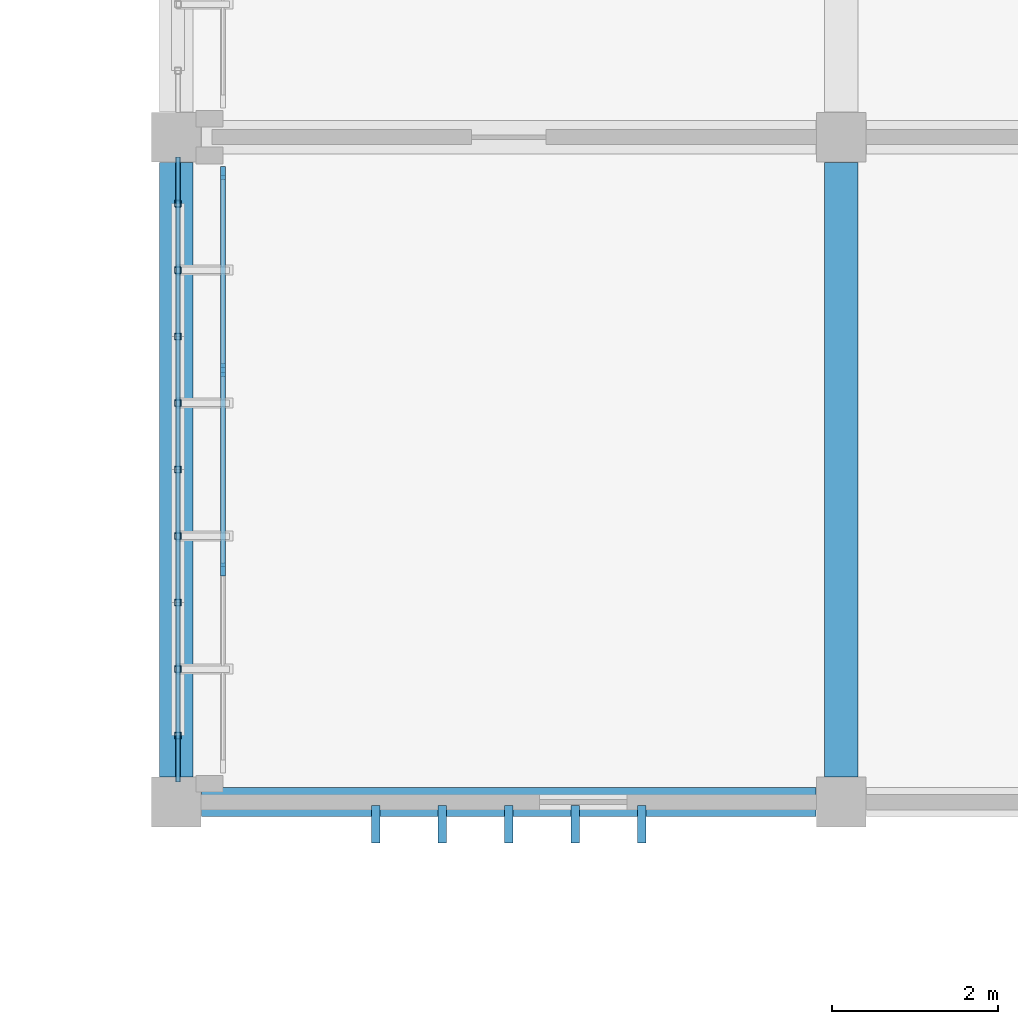
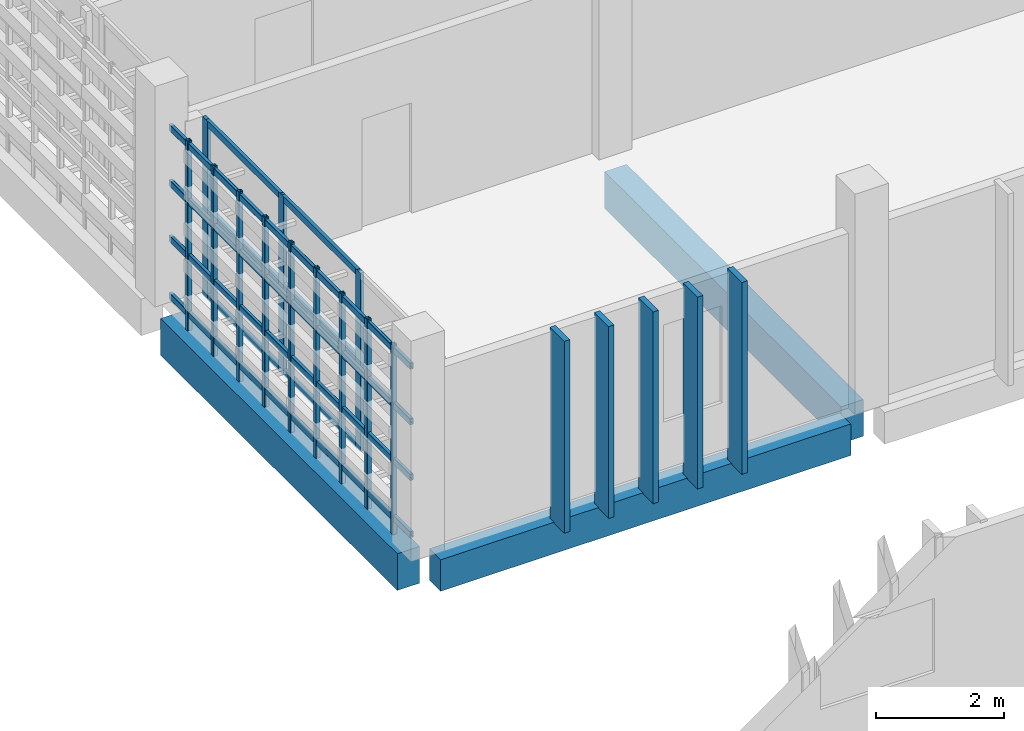
# One storey, part 20 of 63: 27 members, 3 beams, 1 element without a shape of its own.
"""IFC4 building model written with IfcOpenShell, lengths in metres."""

from ifc_helpers import new_model, si_unit, direction, frame, origin, origin_2d, place, context, subcontext, project, spatial, rectangle, hollow_rectangle, extrude, material, layer, layer_set, material_profile, profile_set, type_object, element, aggregate, save


model = new_model("IFC4")

# Units and contexts
model_context = context("Model", 3, precision=1e-05, world=origin(), true_north=direction((0.0, 1.0)))
body_context = subcontext(model_context, "Body", "Model", "MODEL_VIEW")
ifc_project = project(units=[si_unit("LENGTHUNIT", "METRE"), si_unit("AREAUNIT", "SQUARE_METRE"), si_unit("VOLUMEUNIT", "CUBIC_METRE"), si_unit("PLANEANGLEUNIT", "RADIAN"), si_unit("MASSUNIT", "GRAM", prefix="KILO")], contexts=[model_context])

# Site, building, storey
site_placement = place(None, origin())
site = spatial("IfcSite", under=ifc_project, at=site_placement, CompositionType="ELEMENT")
building_placement = place(site_placement, origin())
building = spatial("IfcBuilding", under=site, at=building_placement, Name="Jelvoka-Kovrelna Polytechnic", CompositionType="ELEMENT")
storey_placement = place(building_placement, frame((0.0, 0.0, 18.0)))
storey = spatial("IfcBuildingStorey", under=building, at=storey_placement, Name="L05", CompositionType="ELEMENT", Elevation=18.0)

# Beams
ifc_material_1 = material(Name="Concrete C40/50", Category="concrete")
ifc_material_profile_1 = material_profile(ifc_material_1, rectangle(XDim=0.39990234375, YDim=0.699951171875, at=origin_2d()), Name="RC 400x700")
ifc_profile_set_1 = profile_set([ifc_material_profile_1], Name="Concrete C40/50")
beam_type_1 = type_object("IfcBeamType", Name="Beam_RC_400x700", PredefinedType="BEAM", material=ifc_profile_set_1)
for number, where, z_axis, x_axis, name in (
    (1, (128.0, 32.304931640625, -0.60009765625), (0.0, 1.0, 0.0), (-1.0, 0.0, 0.0), "L05 beam 1485"),
    (2, (136.0, 32.304931640625, -0.60009765625), (0.0, 1.0, 0.0), (-1.0, 0.0, 0.0), "L05 beam 1487"),
):
    element("IfcBeam", number, at=place(storey_placement, frame(where, z_axis=z_axis, x_axis=x_axis)), inside=storey, type_object=beam_type_1, Name=name, PredefinedType="BEAM", context=body_context, shape_type="SweptSolid", body=[
        extrude(rectangle(XDim=0.39990234375, YDim=0.699951171875, at=origin_2d()), origin(), (0.0, 0.0, 1.0), 7.39013671875),
    ])

# Members
ifc_material_2 = material(Name="Precast concrete C40/50", Category="concrete")
ifc_material_profile_2 = material_profile(ifc_material_2, rectangle(XDim=0.10009765625, YDim=0.449951171875, at=origin_2d()), Name="PC 100x450")
ifc_profile_set_2 = profile_set([ifc_material_profile_2], Name="Precast concrete C40/50")
member_type_1 = type_object("IfcMemberType", Name="Louvre_Fin_100x450", PredefinedType="USERDEFINED", material=ifc_profile_set_2)
for number, where, z_axis, x_axis, name in (
    (3, (130.39990234375, 31.735107421875, -0.27001953125), (0.0, 0.0, 1.0), (1.0, 0.0, 0.0), "L05 B2E south vertical solar louvre fin 1006"),
    (4, (131.199951171875, 31.735107421875, -0.27001953125), (0.0, 0.0, 1.0), (1.0, 0.0, 0.0), "L05 B2E south vertical solar louvre fin 1007"),
    (5, (132.0, 31.735107421875, -0.27001953125), (0.0, 0.0, 1.0), (1.0, 0.0, 0.0), "L05 B2E south vertical solar louvre fin 1008"),
    (6, (132.800048828125, 31.735107421875, -0.27001953125), (0.0, 0.0, 1.0), (1.0, 0.0, 0.0), "L05 B2E south vertical solar louvre fin 1009"),
    (7, (133.60009765625, 31.735107421875, -0.27001953125), (0.0, 0.0, 1.0), (1.0, 0.0, 0.0), "L05 B2E south vertical solar louvre fin 1010"),
):
    element("IfcMember", number, at=place(storey_placement, frame(where, z_axis=z_axis, x_axis=x_axis)), inside=storey, type_object=member_type_1, Name=name, ObjectType="SUNSHADE", PredefinedType="USERDEFINED", context=body_context, shape_type="SweptSolid", body=[
        extrude(rectangle(XDim=0.10009765625, YDim=0.449951171875, at=origin_2d()), origin(), (0.0, 0.0, 1.0), 3.655029296875),
    ])
ifc_material_3 = material(Name="Structural steel S355J2H", Category="steel")
ifc_material_profile_3 = material_profile(ifc_material_3, hollow_rectangle(XDim=0.06005859375, YDim=0.1201171875, WallThickness=0.0048828125, InnerFilletRadius=0.0048828125, OuterFilletRadius=0.007568359375, at=origin_2d()), Name="120x60x5.0 RHS")
ifc_profile_set_3 = profile_set([ifc_material_profile_3], Name="Structural steel S355J2H")
member_type_2 = type_object("IfcMemberType", Name="Member_Strut_RHS120", PredefinedType="STRUT", material=ifc_profile_set_3)
for number, where, z_axis, x_axis, name in (
    (8, (128.02001953125, 32.239990234375, 0.080078125), (0.0, 1.0, 0.0), (-1.0, 0.0, 0.0), "L05 terracotta screen horizontal strut 0482"),
    (9, (128.02001953125, 32.239990234375, 1.17138671875), (0.0, 1.0, 0.0), (-1.0, 0.0, 0.0), "L05 terracotta screen horizontal strut 0483"),
    (10, (128.02001953125, 32.239990234375, 2.230712890625), (0.0, 1.0, 0.0), (-1.0, 0.0, 0.0), "L05 terracotta screen horizontal strut 0484"),
    (11, (128.02001953125, 32.239990234375, 3.2900390625), (0.0, 1.0, 0.0), (-1.0, 0.0, 0.0), "L05 terracotta screen horizontal strut 0485"),
):
    element("IfcMember", number, at=place(storey_placement, frame(where, z_axis=z_axis, x_axis=x_axis)), inside=storey, type_object=member_type_2, Name=name, PredefinedType="STRUT", context=body_context, shape_type="SweptSolid", body=[
        extrude(hollow_rectangle(XDim=0.06005859375, YDim=0.1201171875, WallThickness=0.0048828125, InnerFilletRadius=0.0048828125, OuterFilletRadius=0.007568359375, at=origin_2d()), origin(), (0.0, 0.0, 1.0), 7.52001953125),
    ])
ifc_material_4 = material(Name="Structural steel S355J2H", Category="steel")
ifc_material_profile_4 = material_profile(ifc_material_4, hollow_rectangle(XDim=0.080078125, YDim=0.080078125, WallThickness=0.0048828125, InnerFilletRadius=0.0048828125, OuterFilletRadius=0.007568359375, at=origin_2d()), Name="80x80x5.0 SHS")
ifc_profile_set_4 = profile_set([ifc_material_profile_4], Name="Structural steel S355J2H")
member_type_3 = type_object("IfcMemberType", Name="Member_Strut_SHS80", PredefinedType="STRUT", material=ifc_profile_set_4)
for number, where, z_axis, x_axis, name in (
    (12, (128.02001953125, 32.800048828125, -0.22998046875), (0.0, 0.0, 1.0), (1.0, 0.0, 0.0), "L05 terracotta lattice vertical rib 0486"),
    (13, (128.02001953125, 33.60009765625, -0.22998046875), (0.0, 0.0, 1.0), (1.0, 0.0, 0.0), "L05 terracotta lattice vertical rib 0487"),
    (14, (128.02001953125, 34.39990234375, -0.22998046875), (0.0, 0.0, 1.0), (1.0, 0.0, 0.0), "L05 terracotta lattice vertical rib 0488"),
    (15, (128.02001953125, 35.199951171875, -0.22998046875), (0.0, 0.0, 1.0), (1.0, 0.0, 0.0), "L05 terracotta lattice vertical rib 0489"),
    (16, (128.02001953125, 36.0, -0.22998046875), (0.0, 0.0, 1.0), (1.0, 0.0, 0.0), "L05 terracotta lattice vertical rib 0490"),
    (17, (128.02001953125, 36.800048828125, -0.22998046875), (0.0, 0.0, 1.0), (1.0, 0.0, 0.0), "L05 terracotta lattice vertical rib 0491"),
    (18, (128.02001953125, 37.60009765625, -0.22998046875), (0.0, 0.0, 1.0), (1.0, 0.0, 0.0), "L05 terracotta lattice vertical rib 0492"),
    (19, (128.02001953125, 38.39990234375, -0.22998046875), (0.0, 0.0, 1.0), (1.0, 0.0, 0.0), "L05 terracotta lattice vertical rib 0493"),
    (20, (128.02001953125, 39.199951171875, -0.22998046875), (0.0, 0.0, 1.0), (1.0, 0.0, 0.0), "L05 terracotta lattice vertical rib 0494"),
):
    element("IfcMember", number, at=place(storey_placement, frame(where, z_axis=z_axis, x_axis=x_axis)), inside=storey, type_object=member_type_3, Name=name, PredefinedType="STRUT", context=body_context, shape_type="SweptSolid", body=[
        extrude(hollow_rectangle(XDim=0.080078125, YDim=0.080078125, WallThickness=0.0048828125, InnerFilletRadius=0.0048828125, OuterFilletRadius=0.007568359375, at=origin_2d()), origin(), (0.0, 0.0, 1.0), 3.60986328125),
    ])

# Curtain wall, members
ifc_material_5 = material(Name="Anodised aluminium 6063-T6", Category="aluminium")
ifc_layer = layer(ifc_material_5, 0.159912109375)
ifc_layer_set = layer_set([ifc_layer], Name="Anodised aluminium 6063-T6")
curtain_wall_type = type_object("IfcCurtainWallType", Name="CW_Recessed_A", PredefinedType="NOTDEFINED", material=ifc_layer_set)
curtain_wall_placement = place(storey_placement, origin())
curtain_wall = element("IfcCurtainWall", 21, at=curtain_wall_placement, inside=storey, type_object=curtain_wall_type, Name="L05 glazed curtain wall 070", PredefinedType="NOTDEFINED")
ifc_material_6 = material(Name="Anodised aluminium 6063-T6", Category="aluminium")
ifc_material_profile_5 = material_profile(ifc_material_6, rectangle(XDim=0.06005859375, YDim=0.159912109375, at=origin_2d()), Name="ALU 60x160")
ifc_profile_set_5 = profile_set([ifc_material_profile_5], Name="Anodised aluminium 6063-T6")
member_type_4 = type_object("IfcMemberType", Name="Mullion_M-01", PredefinedType="MULLION", material=ifc_profile_set_5)
member_1_placement = place(storey_placement, frame((128.56005859375, 34.800048828125, -0.02490234375), z_axis=(0.0, 0.0, 1.0), x_axis=(-1.0, 0.0, 0.0)))
member_1 = element("IfcMember", 22, at=member_1_placement, type_object=member_type_4, Name="CW-01 mullion 2", PredefinedType="MULLION", context=body_context, shape_type="SweptSolid", body=[
    extrude(rectangle(XDim=0.06005859375, YDim=0.159912109375, at=origin_2d()), origin(), (0.0, 0.0, 1.0), 3.400146484375),
])
member_2_placement = place(storey_placement, frame((128.56005859375, 37.199951171875, -0.02490234375), z_axis=(0.0, 0.0, 1.0), x_axis=(-1.0, 0.0, 0.0)))
member_2 = element("IfcMember", 23, at=member_2_placement, type_object=member_type_4, Name="CW-01 mullion 3", PredefinedType="MULLION", context=body_context, shape_type="SweptSolid", body=[
    extrude(rectangle(XDim=0.06005859375, YDim=0.159912109375, at=origin_2d()), origin(), (0.0, 0.0, 1.0), 3.400146484375),
])
member_3_placement = place(storey_placement, frame((128.56005859375, 39.570068359375, -0.02490234375), z_axis=(0.0, 0.0, 1.0), x_axis=(-1.0, 0.0, 0.0)))
member_3 = element("IfcMember", 24, at=member_3_placement, type_object=member_type_4, Name="CW-01 mullion 4", PredefinedType="MULLION", context=body_context, shape_type="SweptSolid", body=[
    extrude(rectangle(XDim=0.06005859375, YDim=0.159912109375, at=origin_2d()), origin(), (0.0, 0.0, 1.0), 3.400146484375),
])

# Beam
ifc_material_7 = material(Name="Concrete C40/50", Category="concrete")
ifc_material_profile_6 = material_profile(ifc_material_7, rectangle(XDim=0.35009765625, YDim=0.60009765625, at=origin_2d()), Name="RC 350x600")
ifc_profile_set_6 = profile_set([ifc_material_profile_6], Name="Concrete C40/50")
beam_type_2 = type_object("IfcBeamType", Name="Spandrel_RC_350x600", PredefinedType="SPANDREL", material=ifc_profile_set_6)
beam_placement = place(storey_placement, frame((128.304931640625, 32.0, -0.550048828125), z_axis=(1.0, 0.0, 0.0), x_axis=(0.0, 1.0, 0.0)))
element("IfcBeam", 25, at=beam_placement, inside=storey, type_object=beam_type_2, Name="L05 beam 1459", PredefinedType="SPANDREL", context=body_context, shape_type="SweptSolid", body=[
    extrude(rectangle(XDim=0.35009765625, YDim=0.60009765625, at=origin_2d()), origin(), (0.0, 0.0, 1.0), 7.39013671875),
])

# Member
ifc_material_8 = material(Name="Anodised aluminium 6063-T6", Category="aluminium")
ifc_material_profile_7 = material_profile(ifc_material_8, rectangle(XDim=0.06005859375, YDim=0.1201171875, at=origin_2d()), Name="ALU 60x120")
ifc_profile_set_7 = profile_set([ifc_material_profile_7], Name="Anodised aluminium 6063-T6")
member_type_5 = type_object("IfcMemberType", Name="Transom_T-01", PredefinedType="USERDEFINED", material=ifc_profile_set_7)
member_4_placement = place(storey_placement, frame((128.56005859375, 34.830078125, 0.030029296875), z_axis=(0.0, 1.0, 0.0), x_axis=(-1.0, 0.0, 0.0)))
member_4 = element("IfcMember", 26, at=member_4_placement, type_object=member_type_5, Name="CW-01 transom 2.1", ObjectType="TRANSOM", PredefinedType="USERDEFINED", context=body_context, shape_type="SweptSolid", body=[
    extrude(rectangle(XDim=0.06005859375, YDim=0.1201171875, at=origin_2d()), origin(), (0.0, 0.0, 1.0), 2.33984375),
])

member_5_placement = place(storey_placement, frame((128.56005859375, 34.830078125, 1.675048828125), z_axis=(0.0, 1.0, 0.0), x_axis=(-1.0, 0.0, 0.0)))
member_5 = element("IfcMember", 27, at=member_5_placement, type_object=member_type_5, Name="CW-01 transom 2.2", ObjectType="TRANSOM", PredefinedType="USERDEFINED", context=body_context, shape_type="SweptSolid", body=[
    extrude(rectangle(XDim=0.06005859375, YDim=0.1201171875, at=origin_2d()), origin(), (0.0, 0.0, 1.0), 2.33984375),
])

member_6_placement = place(storey_placement, frame((128.56005859375, 34.830078125, 3.320068359375), z_axis=(0.0, 1.0, 0.0), x_axis=(-1.0, 0.0, 0.0)))
member_6 = element("IfcMember", 28, at=member_6_placement, type_object=member_type_5, Name="CW-01 transom 2.3", ObjectType="TRANSOM", PredefinedType="USERDEFINED", context=body_context, shape_type="SweptSolid", body=[
    extrude(rectangle(XDim=0.06005859375, YDim=0.1201171875, at=origin_2d()), origin(), (0.0, 0.0, 1.0), 2.33984375),
])

member_7_placement = place(storey_placement, frame((128.56005859375, 37.22998046875, 0.030029296875), z_axis=(0.0, 1.0, 0.0), x_axis=(-1.0, 0.0, 0.0)))
member_7 = element("IfcMember", 29, at=member_7_placement, type_object=member_type_5, Name="CW-01 transom 3.1", ObjectType="TRANSOM", PredefinedType="USERDEFINED", context=body_context, shape_type="SweptSolid", body=[
    extrude(rectangle(XDim=0.06005859375, YDim=0.1201171875, at=origin_2d()), origin(), (0.0, 0.0, 1.0), 2.31005859375),
])

member_8_placement = place(storey_placement, frame((128.56005859375, 37.22998046875, 1.675048828125), z_axis=(0.0, 1.0, 0.0), x_axis=(-1.0, 0.0, 0.0)))
member_8 = element("IfcMember", 30, at=member_8_placement, type_object=member_type_5, Name="CW-01 transom 3.2", ObjectType="TRANSOM", PredefinedType="USERDEFINED", context=body_context, shape_type="SweptSolid", body=[
    extrude(rectangle(XDim=0.06005859375, YDim=0.1201171875, at=origin_2d()), origin(), (0.0, 0.0, 1.0), 2.31005859375),
])

member_9_placement = place(storey_placement, frame((128.56005859375, 37.22998046875, 3.320068359375), z_axis=(0.0, 1.0, 0.0), x_axis=(-1.0, 0.0, 0.0)))
member_9 = element("IfcMember", 31, at=member_9_placement, type_object=member_type_5, Name="CW-01 transom 3.3", ObjectType="TRANSOM", PredefinedType="USERDEFINED", context=body_context, shape_type="SweptSolid", body=[
    extrude(rectangle(XDim=0.06005859375, YDim=0.1201171875, at=origin_2d()), origin(), (0.0, 0.0, 1.0), 2.31005859375),
])

aggregate(curtain_wall, [member_1, member_2, member_3, member_4, member_5, member_6, member_7, member_8, member_9])

save(model, "model.ifc")
